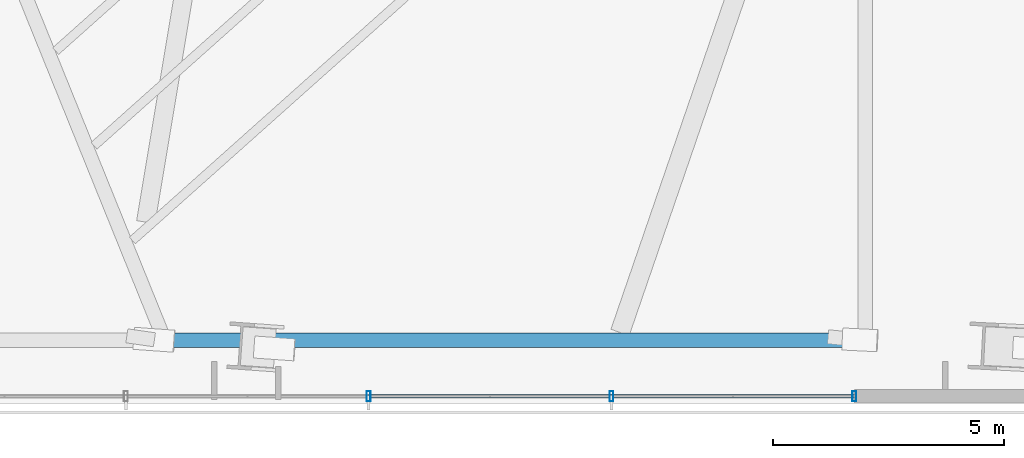
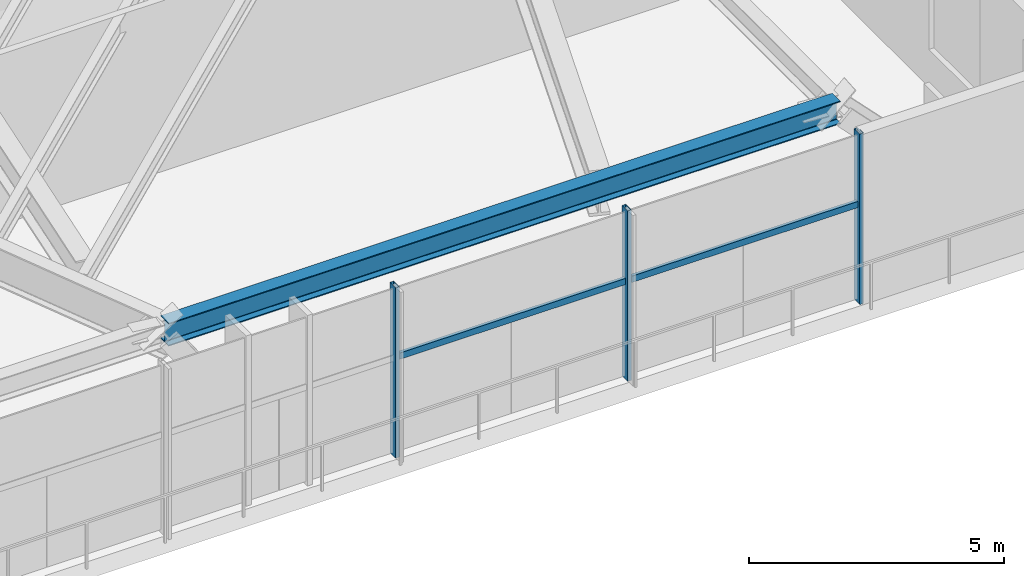
# One storey, part 15 of 30: 5 members, 1 beam, 1 element without a shape of its own.
"""IFC4 building model written with IfcOpenShell, lengths in metres."""

from ifc_helpers import new_model, si_unit, direction, frame, origin, origin_2d, place, context, subcontext, project, spatial, hollow_rectangle, i_section, extrude, source, transform, mapped, material, material_profile, profile_set, type_object, type_shapes, element, aggregate, save


model = new_model("IFC4")

# Units and contexts
model_context = context("Model", 3, precision=1e-05, world=origin(), true_north=direction((0.0, 1.0)))
body_context = subcontext(model_context, "Body", "Model", "MODEL_VIEW")
ifc_project = project(units=[si_unit("LENGTHUNIT", "METRE"), si_unit("AREAUNIT", "SQUARE_METRE"), si_unit("VOLUMEUNIT", "CUBIC_METRE"), si_unit("PLANEANGLEUNIT", "RADIAN"), si_unit("MASSUNIT", "GRAM", prefix="KILO")], contexts=[model_context])

# Site, building, storey
site_placement = place(None, origin())
site = spatial("IfcSite", under=ifc_project, at=site_placement, CompositionType="ELEMENT")
building_placement = place(site_placement, origin())
building = spatial("IfcBuilding", under=site, at=building_placement, Name="Astriad Promenade Condominiums", CompositionType="ELEMENT")
storey_placement = place(building_placement, frame((0.0, 0.0, 14.0)))
storey = spatial("IfcBuildingStorey", under=building, at=storey_placement, Name="L03", CompositionType="ELEMENT", Elevation=14.0)

# Beam
ifc_material_1 = material(Name="Steel ASTM A992 Grade 50", Category="steel")
ifc_material_profile_1 = material_profile(ifc_material_1, i_section(OverallWidth=0.3134765625, OverallDepth=0.54638671875, WebThickness=0.013916015625, FlangeThickness=0.022216796875, FilletRadius=0.0166015625, at=origin_2d()), Name="W21X111")
ifc_profile_set_1 = profile_set([ifc_material_profile_1], Name="Steel ASTM A992 Grade 50")
beam_type = type_object("IfcBeamType", Name="STEEL SPANDREL BEAM W21X111", PredefinedType="SPANDREL", material=ifc_profile_set_1)
shared_shape_1 = source(origin(), body_context, "Body", "SweptSolid", [
    extrude(i_section(OverallWidth=0.3134765625, OverallDepth=0.54638671875, WebThickness=0.013916015625, FlangeThickness=0.022216796875, FilletRadius=0.0166015625, at=origin_2d()), origin(), (0.0, 0.0, 1.0), 15.212158203125),
])
type_shapes(beam_type, [shared_shape_1])
beam_placement = place(storey_placement, frame((51.435791015625, 2.7666015625, 3.806884765625), z_axis=(1.0, 0.0, 0.0), x_axis=(0.0, 1.0, 0.0)))
element("IfcBeam", 1, at=beam_placement, inside=storey, type_object=beam_type, Name="Perimeter Spandrel Beam SP-S4-L03", PredefinedType="SPANDREL", context=body_context, shape_type="MappedRepresentation", body=[
    mapped(shared_shape_1, transform((0.0, 0.0, 0.0), scale=1.0)),
])

# Curtain wall, members
ifc_material_2 = material(Name="Anodised aluminium Black Dark Glass Unitised", Category="aluminium")
curtain_wall_type = type_object("IfcCurtainWallType", Name="CW-POD-DARK", PredefinedType="USERDEFINED", material=ifc_material_2)
curtain_wall_placement = place(storey_placement, origin())
curtain_wall = element("IfcCurtainWall", 2, at=curtain_wall_placement, inside=storey, type_object=curtain_wall_type, Name="CW-L03-S", ObjectType="UNITISED_CURTAIN_WALL", PredefinedType="USERDEFINED")
ifc_material_3 = material(Name="Anodised aluminium 6063-T6 Black", Category="aluminium")
ifc_material_profile_2 = material_profile(ifc_material_3, hollow_rectangle(XDim=0.0849609375, YDim=0.219970703125, WallThickness=0.0048828125, at=origin_2d()), Name="ALU-MUL-85X220")
ifc_profile_set_2 = profile_set([ifc_material_profile_2], Name="Anodised aluminium 6063-T6 Black")
member_type_1 = type_object("IfcMemberType", Name="MUL-ALU-MUL-85X220", PredefinedType="MULLION", material=ifc_profile_set_2)
shared_shape_2 = source(origin(), body_context, "Body", "SweptSolid", [
    extrude(hollow_rectangle(XDim=0.0849609375, YDim=0.219970703125, WallThickness=0.0048828125, at=origin_2d()), origin(), (0.0, 0.0, 1.0), 4.080078125),
])
type_shapes(member_type_1, [shared_shape_2])
member_1_placement = place(storey_placement, frame((66.449951171875, 1.550048828125, 0.0), z_axis=(0.0, 0.0, 1.0), x_axis=(1.0, 0.0, 0.0)))
member_1 = element("IfcMember", 3, at=member_1_placement, type_object=member_type_1, Name="CW-L03-S-MUL-00", PredefinedType="MULLION", context=body_context, shape_type="MappedRepresentation", body=[
    mapped(shared_shape_2, transform((0.0, 0.0, 0.0), scale=1.0)),
])
member_2_placement = place(storey_placement, frame((61.195556640625, 1.550048828125, 0.0), z_axis=(0.0, 0.0, 1.0), x_axis=(1.0, 0.0, 0.0)))
member_2 = element("IfcMember", 4, at=member_2_placement, type_object=member_type_1, Name="CW-L03-S-MUL-01", PredefinedType="MULLION", context=body_context, shape_type="MappedRepresentation", body=[
    mapped(shared_shape_2, transform((0.0, 0.0, 0.0), scale=1.0)),
])
member_3_placement = place(storey_placement, frame((55.94091796875, 1.550048828125, 0.0), z_axis=(0.0, 0.0, 1.0), x_axis=(1.0, 0.0, 0.0)))
member_3 = element("IfcMember", 5, at=member_3_placement, type_object=member_type_1, Name="CW-L03-S-MUL-02", PredefinedType="MULLION", context=body_context, shape_type="MappedRepresentation", body=[
    mapped(shared_shape_2, transform((0.0, 0.0, 0.0), scale=1.0)),
])
ifc_material_profile_3 = material_profile(ifc_material_3, hollow_rectangle(XDim=0.074951171875, YDim=0.14990234375, WallThickness=0.004150390625, at=origin_2d()), Name="ALU-TRN-75X150")
ifc_profile_set_3 = profile_set([ifc_material_profile_3], Name="Anodised aluminium 6063-T6 Black")
member_type_2 = type_object("IfcMemberType", Name="TRN-ALU-TRN-75X150", PredefinedType="USERDEFINED", material=ifc_profile_set_3)
shared_shape_3 = source(origin(), body_context, "Body", "SweptSolid", [
    extrude(hollow_rectangle(XDim=0.074951171875, YDim=0.14990234375, WallThickness=0.004150390625, at=origin_2d()), origin(), (0.0, 0.0, 1.0), 5.25439453125),
])
member_4_placement = place(storey_placement, frame((66.449951171875, 1.550048828125, 2.35009765625), z_axis=(-1.0, 0.0, 0.0), x_axis=(0.0, -1.0, 0.0)))
member_4 = element("IfcMember", 6, at=member_4_placement, type_object=member_type_2, Name="CW-L03-S-TRN-00-0", ObjectType="TRANSOM", PredefinedType="USERDEFINED", context=body_context, shape_type="MappedRepresentation", body=[
    mapped(shared_shape_3, transform((0.0, 0.0, 0.0), scale=1.0)),
])
shared_shape_4 = source(origin(), body_context, "Body", "SweptSolid", [
    extrude(hollow_rectangle(XDim=0.074951171875, YDim=0.14990234375, WallThickness=0.004150390625, at=origin_2d()), origin(), (0.0, 0.0, 1.0), 5.254638671875),
])
type_shapes(member_type_2, [shared_shape_3, shared_shape_4])
member_5_placement = place(storey_placement, frame((61.195556640625, 1.550048828125, 2.35009765625), z_axis=(-1.0, 0.0, 0.0), x_axis=(0.0, -1.0, 0.0)))
member_5 = element("IfcMember", 7, at=member_5_placement, type_object=member_type_2, Name="CW-L03-S-TRN-01-0", ObjectType="TRANSOM", PredefinedType="USERDEFINED", context=body_context, shape_type="MappedRepresentation", body=[
    mapped(shared_shape_4, transform((0.0, 0.0, 0.0), scale=1.0)),
])
aggregate(curtain_wall, [member_1, member_2, member_3, member_4, member_5])

save(model, "model.ifc")
